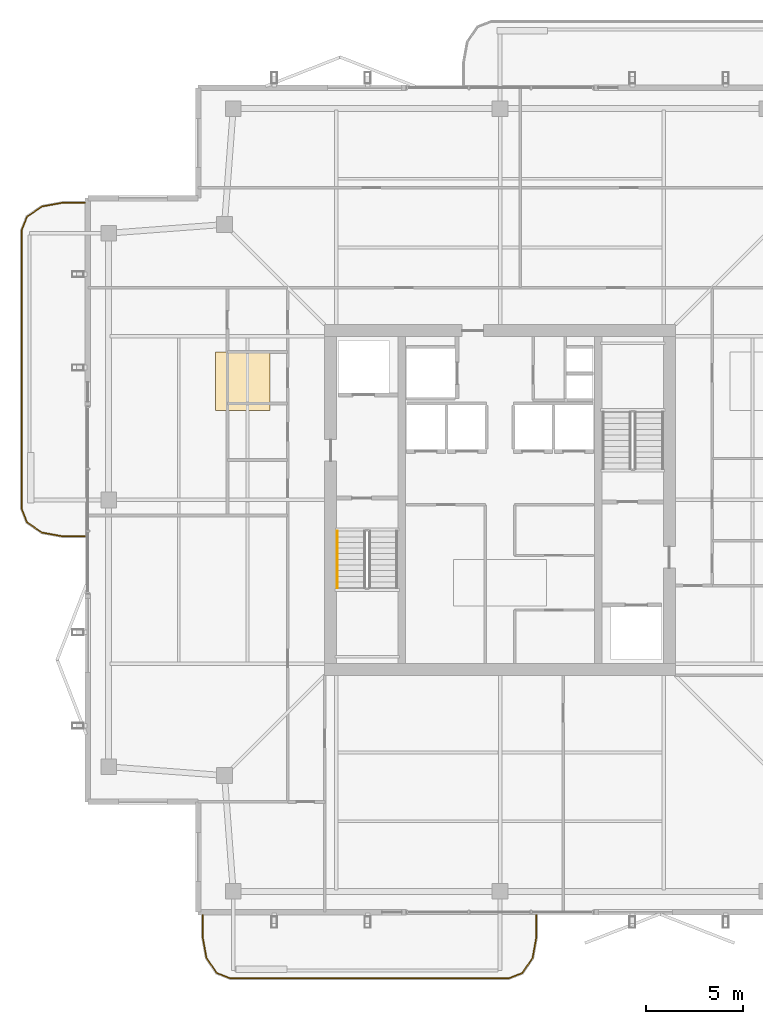
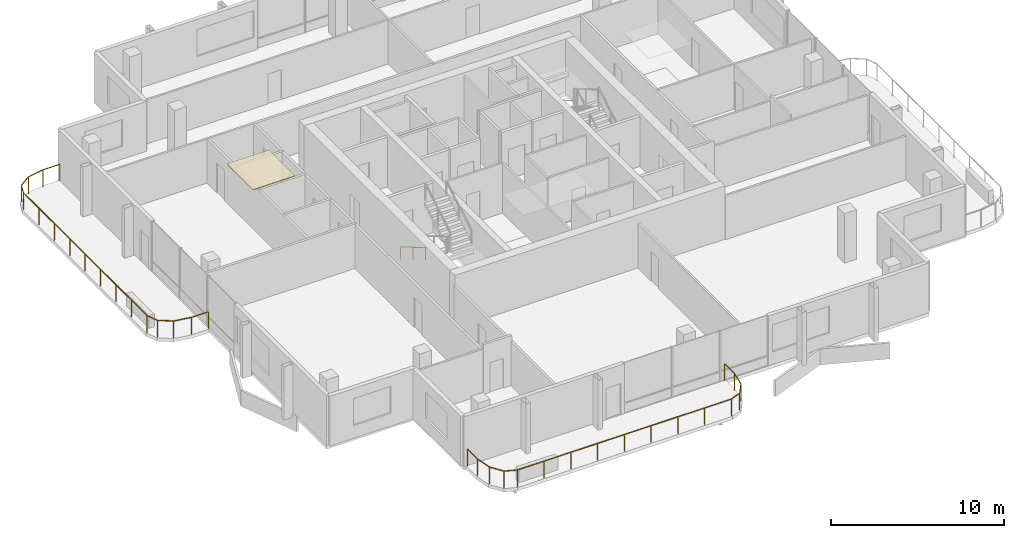
# One storey, part 20 of 22: 3 railings, 1 covering.
"""IFC4 building model written with IfcOpenShell, lengths in metres."""

from ifc_helpers import new_model, si_unit, direction, frame, origin, origin_2d, place, context, subcontext, project, spatial, polyline, rectangle, outline, extrude, material, layer, layer_set, type_object, element, save


model = new_model("IFC4")

# Units and contexts
model_context = context("Model", 3, precision=1e-05, world=origin(), true_north=direction((0.0, 1.0)))
body_context = subcontext(model_context, "Body", "Model", "MODEL_VIEW")
ifc_project = project(units=[si_unit("LENGTHUNIT", "METRE"), si_unit("AREAUNIT", "SQUARE_METRE"), si_unit("VOLUMEUNIT", "CUBIC_METRE"), si_unit("PLANEANGLEUNIT", "RADIAN"), si_unit("MASSUNIT", "GRAM", prefix="KILO")], contexts=[model_context])

# Site, building, storey
site_placement = place(None, origin())
site = spatial("IfcSite", under=ifc_project, at=site_placement, CompositionType="ELEMENT")
building_placement = place(site_placement, origin())
building = spatial("IfcBuilding", under=site, at=building_placement, Name="Belovzor Exchange Tower", CompositionType="ELEMENT")
storey_placement = place(building_placement, frame((0.0, 0.0, 348.0)))
storey = spatial("IfcBuildingStorey", under=building, at=storey_placement, Name="L87", CompositionType="ELEMENT", Elevation=348.0)

# Railings
ifc_material_1 = material(Name="Stainless Steel Grade 304", Category="steel")
railing_type_1 = type_object("IfcRailingType", Name="Brushed Stainless Steel Stair Handrail 900", PredefinedType="HANDRAIL", material=ifc_material_1)
railing_1_placement = place(storey_placement, frame((20.449951171875, 27.199951171875, 0.17041015625)))
element("IfcRailing", 1, at=railing_1_placement, inside=storey, type_object=railing_type_1, Name="L87 ST-1 stair handrail 1", PredefinedType="HANDRAIL", context=body_context, shape_type="SweptSolid", body=[
    extrude(rectangle(XDim=0.048095703125, YDim=0.048095703125, at=origin_2d()), frame((0.0, 0.0, 0.8759765625), z_axis=(0.0, -0.86209462966, 0.506747323142), x_axis=(1.0, 0.0, 0.0)), (0.0, 0.0, 1.0), 3.36376953125),
    extrude(rectangle(XDim=0.0419921875, YDim=0.0419921875, at=origin_2d()), origin(), (0.0, 0.0, 1.0), 0.851806640625),
    extrude(rectangle(XDim=0.0419921875, YDim=0.0419921875, at=origin_2d()), frame((0.0, -1.449951171875, 0.852294921875)), (0.0, 0.0, 1.0), 0.851806640625),
    extrude(rectangle(XDim=0.0419921875, YDim=0.0419921875, at=origin_2d()), frame((0.0, -2.89990234375, 1.70458984375)), (0.0, 0.0, 1.0), 0.851806640625),
])
ifc_material_2 = material(Name="Stainless Steel and Laminated Safety Glass", Category="steel")
railing_type_2 = type_object("IfcRailingType", Name="Laminated Glass & Stainless Steel Balcony Balustrade 1200", PredefinedType="BALUSTRADE", material=ifc_material_2)
railing_2_placement = place(storey_placement, frame((13.530029296875, 7.489990234375, 0.0)))
element("IfcRailing", 2, at=railing_2_placement, inside=storey, type_object=railing_type_2, Name="GR-1 Balcony Balustrade L87 South", PredefinedType="BALUSTRADE", context=body_context, shape_type="SweptSolid", body=[
    extrude(rectangle(XDim=0.048095703125, YDim=0.048095703125, at=origin_2d()), frame((0.0, 0.0, 1.17578125), z_axis=(0.0, -1.0, 0.0), x_axis=(1.0, 0.0, 0.0)), (0.0, 0.0, 1.0), 1.133056640625),
    extrude(rectangle(XDim=0.048095703125, YDim=0.048095703125, at=origin_2d()), frame((0.0, -1.133056640625, 1.17578125), z_axis=(0.180122719713, -0.983644145941, 0.0), x_axis=(0.983644145941, 0.180122719713, 0.0)), (0.0, 0.0, 1.0), 1.09375),
    extrude(rectangle(XDim=0.048095703125, YDim=0.048095703125, at=origin_2d()), frame((0.197021484375, -2.208984375, 1.17578125), z_axis=(0.562768145367, -0.826614792125, 0.0), x_axis=(0.826614792125, 0.562768145367, 0.0)), (0.0, 0.0, 1.0), 0.9326171875),
    extrude(rectangle(XDim=0.048095703125, YDim=0.048095703125, at=origin_2d()), frame((0.721923828125, -2.97998046875, 1.17578125), z_axis=(0.930809580156, -0.365504480807, 0.0), x_axis=(0.365504480807, 0.930809580156, 0.0)), (0.0, 0.0, 1.0), 0.76611328125),
    extrude(rectangle(XDim=0.048095703125, YDim=0.048095703125, at=origin_2d()), frame((1.43505859375, -3.260009765625, 1.17578125), z_axis=(1.0, 0.0, 0.0), x_axis=(0.0, 1.0, 0.0)), (0.0, 0.0, 1.0), 14.27001953125),
    extrude(rectangle(XDim=0.048095703125, YDim=0.048095703125, at=origin_2d()), frame((15.705078125, -3.260009765625, 1.17578125), z_axis=(0.930766990125, 0.365612923861, 0.0), x_axis=(-0.365612923861, 0.930766990125, 0.0)), (0.0, 0.0, 1.0), 0.765869140625),
    extrude(rectangle(XDim=0.048095703125, YDim=0.048095703125, at=origin_2d()), frame((16.41796875, -2.97998046875, 1.17578125), z_axis=(0.562768145367, 0.826614792125, 0.0), x_axis=(-0.826614792125, 0.562768145367, 0.0)), (0.0, 0.0, 1.0), 0.9326171875),
    extrude(rectangle(XDim=0.048095703125, YDim=0.048095703125, at=origin_2d()), frame((16.94287109375, -2.208984375, 1.17578125), z_axis=(0.180122719713, 0.983644145941, 0.0), x_axis=(-0.983644145941, 0.180122719713, 0.0)), (0.0, 0.0, 1.0), 1.09375),
    extrude(rectangle(XDim=0.048095703125, YDim=0.048095703125, at=origin_2d()), frame((17.139892578125, -1.133056640625, 1.17578125), z_axis=(0.0, 1.0, 0.0), x_axis=(-1.0, 0.0, 0.0)), (0.0, 0.0, 1.0), 1.133056640625),
    extrude(rectangle(XDim=0.0419921875, YDim=0.0419921875, at=origin_2d()), origin(), (0.0, 0.0, 1.0), 1.15185546875),
    extrude(rectangle(XDim=0.0419921875, YDim=0.0419921875, at=origin_2d()), frame((0.0, -1.133056640625, 0.0)), (0.0, 0.0, 1.0), 1.15185546875),
    extrude(rectangle(XDim=0.0419921875, YDim=0.0419921875, at=origin_2d()), frame((0.197021484375, -2.208984375, 0.0)), (0.0, 0.0, 1.0), 1.15185546875),
    extrude(rectangle(XDim=0.0419921875, YDim=0.0419921875, at=origin_2d()), frame((0.721923828125, -2.97998046875, 0.0)), (0.0, 0.0, 1.0), 1.15185546875),
    extrude(rectangle(XDim=0.0419921875, YDim=0.0419921875, at=origin_2d()), frame((1.43505859375, -3.260009765625, 0.0)), (0.0, 0.0, 1.0), 1.15185546875),
    extrude(rectangle(XDim=0.0419921875, YDim=0.0419921875, at=origin_2d()), frame((3.21875, -3.260009765625, 0.0)), (0.0, 0.0, 1.0), 1.15185546875),
    extrude(rectangle(XDim=0.0419921875, YDim=0.0419921875, at=origin_2d()), frame((5.00244140625, -3.260009765625, 0.0)), (0.0, 0.0, 1.0), 1.15185546875),
    extrude(rectangle(XDim=0.0419921875, YDim=0.0419921875, at=origin_2d()), frame((6.786376953125, -3.260009765625, 0.0)), (0.0, 0.0, 1.0), 1.15185546875),
    extrude(rectangle(XDim=0.0419921875, YDim=0.0419921875, at=origin_2d()), frame((8.570068359375, -3.260009765625, 0.0)), (0.0, 0.0, 1.0), 1.15185546875),
    extrude(rectangle(XDim=0.0419921875, YDim=0.0419921875, at=origin_2d()), frame((10.353759765625, -3.260009765625, 0.0)), (0.0, 0.0, 1.0), 1.15185546875),
    extrude(rectangle(XDim=0.0419921875, YDim=0.0419921875, at=origin_2d()), frame((12.1376953125, -3.260009765625, 0.0)), (0.0, 0.0, 1.0), 1.15185546875),
    extrude(rectangle(XDim=0.0419921875, YDim=0.0419921875, at=origin_2d()), frame((13.92138671875, -3.260009765625, 0.0)), (0.0, 0.0, 1.0), 1.15185546875),
    extrude(rectangle(XDim=0.0419921875, YDim=0.0419921875, at=origin_2d()), frame((15.705078125, -3.260009765625, 0.0)), (0.0, 0.0, 1.0), 1.15185546875),
    extrude(rectangle(XDim=0.0419921875, YDim=0.0419921875, at=origin_2d()), frame((16.41796875, -2.97998046875, 0.0)), (0.0, 0.0, 1.0), 1.15185546875),
    extrude(rectangle(XDim=0.0419921875, YDim=0.0419921875, at=origin_2d()), frame((16.94287109375, -2.208984375, 0.0)), (0.0, 0.0, 1.0), 1.15185546875),
    extrude(rectangle(XDim=0.0419921875, YDim=0.0419921875, at=origin_2d()), frame((17.139892578125, -1.133056640625, 0.0)), (0.0, 0.0, 1.0), 1.15185546875),
    extrude(rectangle(XDim=0.0419921875, YDim=0.0419921875, at=origin_2d()), frame((17.139892578125, 0.0, 0.0)), (0.0, 0.0, 1.0), 1.15185546875),
])
railing_3_placement = place(storey_placement, frame((7.489990234375, 44.070068359375, 0.0)))
element("IfcRailing", 3, at=railing_3_placement, inside=storey, type_object=railing_type_2, Name="GR-1 Balcony Balustrade L87 West", PredefinedType="BALUSTRADE", context=body_context, shape_type="SweptSolid", body=[
    extrude(rectangle(XDim=0.048095703125, YDim=0.048095703125, at=origin_2d()), frame((0.0, 0.0, 1.17578125), z_axis=(-1.0, 0.0, 0.0), x_axis=(0.0, -1.0, 0.0)), (0.0, 0.0, 1.0), 1.133056640625),
    extrude(rectangle(XDim=0.048095703125, YDim=0.048095703125, at=origin_2d()), frame((-1.133056640625, 0.0, 1.17578125), z_axis=(-0.983644145941, -0.180122719713, 0.0), x_axis=(0.180122719713, -0.983644145941, 0.0)), (0.0, 0.0, 1.0), 1.09375),
    extrude(rectangle(XDim=0.048095703125, YDim=0.048095703125, at=origin_2d()), frame((-2.208984375, -0.197021484375, 1.17578125), z_axis=(-0.826493025367, -0.56294695933, 0.0), x_axis=(0.56294695933, -0.826493025367, 0.0)), (0.0, 0.0, 1.0), 0.932861328125),
    extrude(rectangle(XDim=0.048095703125, YDim=0.048095703125, at=origin_2d()), frame((-2.97998046875, -0.72216796875, 1.17578125), z_axis=(-0.365612923861, -0.930766990125, 0.0), x_axis=(0.930766990125, -0.365612923861, 0.0)), (0.0, 0.0, 1.0), 0.765869140625),
    extrude(rectangle(XDim=0.048095703125, YDim=0.048095703125, at=origin_2d()), frame((-3.260009765625, -1.43505859375, 1.17578125), z_axis=(0.0, -1.0, 0.0), x_axis=(1.0, 0.0, 0.0)), (0.0, 0.0, 1.0), 14.27001953125),
    extrude(rectangle(XDim=0.048095703125, YDim=0.048095703125, at=origin_2d()), frame((-3.260009765625, -15.705078125, 1.17578125), z_axis=(0.365612923861, -0.930766990125, 0.0), x_axis=(0.930766990125, 0.365612923861, 0.0)), (0.0, 0.0, 1.0), 0.765869140625),
    extrude(rectangle(XDim=0.048095703125, YDim=0.048095703125, at=origin_2d()), frame((-2.97998046875, -16.41796875, 1.17578125), z_axis=(0.826493025367, -0.56294695933, 0.0), x_axis=(0.56294695933, 0.826493025367, 0.0)), (0.0, 0.0, 1.0), 0.932861328125),
    extrude(rectangle(XDim=0.048095703125, YDim=0.048095703125, at=origin_2d()), frame((-2.208984375, -16.943115234375, 1.17578125), z_axis=(0.983644145941, -0.180122719713, 0.0), x_axis=(0.180122719713, 0.983644145941, 0.0)), (0.0, 0.0, 1.0), 1.09375),
    extrude(rectangle(XDim=0.048095703125, YDim=0.048095703125, at=origin_2d()), frame((-1.133056640625, -17.14013671875, 1.17578125), z_axis=(1.0, 0.0, 0.0), x_axis=(0.0, 1.0, 0.0)), (0.0, 0.0, 1.0), 1.133056640625),
    extrude(rectangle(XDim=0.0419921875, YDim=0.0419921875, at=origin_2d()), origin(), (0.0, 0.0, 1.0), 1.15185546875),
    extrude(rectangle(XDim=0.0419921875, YDim=0.0419921875, at=origin_2d()), frame((-1.133056640625, 0.0, 0.0)), (0.0, 0.0, 1.0), 1.15185546875),
    extrude(rectangle(XDim=0.0419921875, YDim=0.0419921875, at=origin_2d()), frame((-2.208984375, -0.197021484375, 0.0)), (0.0, 0.0, 1.0), 1.15185546875),
    extrude(rectangle(XDim=0.0419921875, YDim=0.0419921875, at=origin_2d()), frame((-2.97998046875, -0.72216796875, 0.0)), (0.0, 0.0, 1.0), 1.15185546875),
    extrude(rectangle(XDim=0.0419921875, YDim=0.0419921875, at=origin_2d()), frame((-3.260009765625, -1.43505859375, 0.0)), (0.0, 0.0, 1.0), 1.15185546875),
    extrude(rectangle(XDim=0.0419921875, YDim=0.0419921875, at=origin_2d()), frame((-3.260009765625, -3.21875, 0.0)), (0.0, 0.0, 1.0), 1.15185546875),
    extrude(rectangle(XDim=0.0419921875, YDim=0.0419921875, at=origin_2d()), frame((-3.260009765625, -5.00244140625, 0.0)), (0.0, 0.0, 1.0), 1.15185546875),
    extrude(rectangle(XDim=0.0419921875, YDim=0.0419921875, at=origin_2d()), frame((-3.260009765625, -6.786376953125, 0.0)), (0.0, 0.0, 1.0), 1.15185546875),
    extrude(rectangle(XDim=0.0419921875, YDim=0.0419921875, at=origin_2d()), frame((-3.260009765625, -8.570068359375, 0.0)), (0.0, 0.0, 1.0), 1.15185546875),
    extrude(rectangle(XDim=0.0419921875, YDim=0.0419921875, at=origin_2d()), frame((-3.260009765625, -10.353759765625, 0.0)), (0.0, 0.0, 1.0), 1.15185546875),
    extrude(rectangle(XDim=0.0419921875, YDim=0.0419921875, at=origin_2d()), frame((-3.260009765625, -12.1376953125, 0.0)), (0.0, 0.0, 1.0), 1.15185546875),
    extrude(rectangle(XDim=0.0419921875, YDim=0.0419921875, at=origin_2d()), frame((-3.260009765625, -13.92138671875, 0.0)), (0.0, 0.0, 1.0), 1.15185546875),
    extrude(rectangle(XDim=0.0419921875, YDim=0.0419921875, at=origin_2d()), frame((-3.260009765625, -15.705078125, 0.0)), (0.0, 0.0, 1.0), 1.15185546875),
    extrude(rectangle(XDim=0.0419921875, YDim=0.0419921875, at=origin_2d()), frame((-2.97998046875, -16.41796875, 0.0)), (0.0, 0.0, 1.0), 1.15185546875),
    extrude(rectangle(XDim=0.0419921875, YDim=0.0419921875, at=origin_2d()), frame((-2.208984375, -16.943115234375, 0.0)), (0.0, 0.0, 1.0), 1.15185546875),
    extrude(rectangle(XDim=0.0419921875, YDim=0.0419921875, at=origin_2d()), frame((-1.133056640625, -17.14013671875, 0.0)), (0.0, 0.0, 1.0), 1.15185546875),
    extrude(rectangle(XDim=0.0419921875, YDim=0.0419921875, at=origin_2d()), frame((0.0, -17.14013671875, 0.0)), (0.0, 0.0, 1.0), 1.15185546875),
])

# Covering
ifc_material_3 = material(Name="Perforated Powder-Coated Aluminium", Category="aluminium")
ifc_layer = layer(ifc_material_3, 0.06005859375)
ifc_layer_set = layer_set([ifc_layer], Name="Perforated Powder-Coated Aluminium")
covering_type = type_object("IfcCoveringType", Name="Perforated Acoustic Metal Tile Suspended Ceiling 60", PredefinedType="CEILING", material=ifc_layer_set)
covering_placement = place(storey_placement, frame((0.0, 0.0, 3.449951171875)))
element("IfcCovering", 4, at=covering_placement, inside=storey, type_object=covering_type, Name="CLG-AC60 Suspended Ceiling CLG-L87-Z3", PredefinedType="CEILING", context=body_context, shape_type="SweptSolid", body=[
    extrude(outline(polyline([(14.199951171875, 33.39990234375), (17.0, 33.39990234375), (17.0, 36.39990234375), (14.199951171875, 36.39990234375), (14.199951171875, 33.39990234375)])), origin(), (0.0, 0.0, 1.0), 0.06005859375),
])

save(model, "model.ifc")
